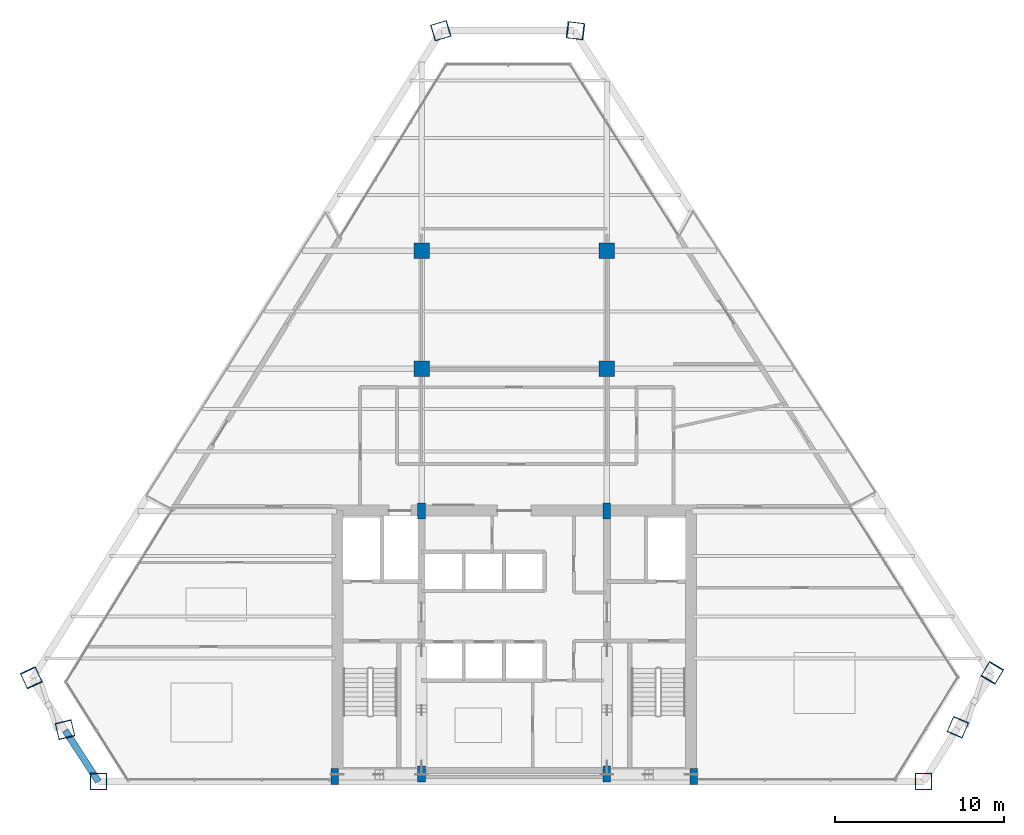
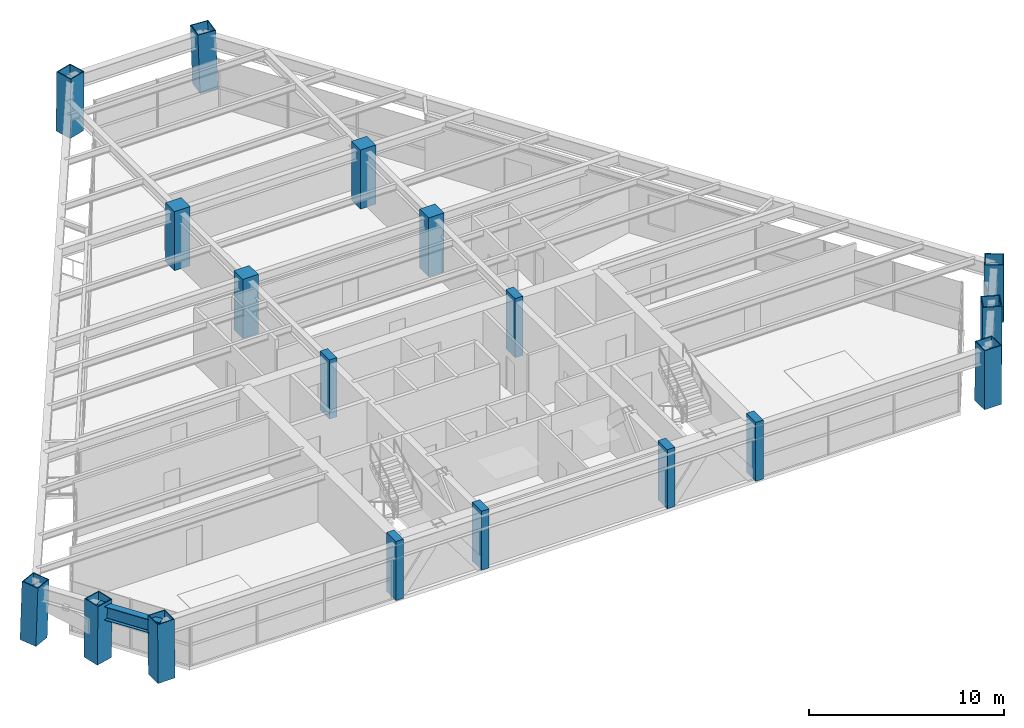
# One storey, part 1 of 15: 18 columns, 1 beam.
"""IFC4 building model written with IfcOpenShell, lengths in metres."""

from ifc_helpers import new_model, si_unit, direction, frame, origin, origin_2d, place, context, subcontext, project, spatial, rectangle, hollow_rectangle, i_section, extrude, source, transform, mapped, material, material_profile, profile_set, type_object, type_shapes, element, save


model = new_model("IFC4")

# Units and contexts
model_context = context("Model", 3, precision=1e-05, world=origin(), true_north=direction((0.0, 1.0)))
body_context = subcontext(model_context, "Body", "Model", "MODEL_VIEW")
ifc_project = project(units=[si_unit("LENGTHUNIT", "METRE"), si_unit("AREAUNIT", "SQUARE_METRE"), si_unit("VOLUMEUNIT", "CUBIC_METRE"), si_unit("PLANEANGLEUNIT", "RADIAN"), si_unit("MASSUNIT", "GRAM", prefix="KILO")], contexts=[model_context])

# Site, building, storey
site_placement = place(None, origin())
site = spatial("IfcSite", under=ifc_project, at=site_placement, CompositionType="ELEMENT")
building_placement = place(site_placement, origin())
building = spatial("IfcBuilding", under=site, at=building_placement, Name="Varnakhor Terracotta Tower", CompositionType="ELEMENT")
storey_placement = place(building_placement, frame((0.0, 0.0, 193.199951171875)))
storey = spatial("IfcBuildingStorey", under=building, at=storey_placement, Name="L49", CompositionType="ELEMENT", Elevation=193.199951171875)

# Columns
ifc_material_1 = material(Name="Concrete C50/60", Category="concrete")
ifc_material_profile_1 = material_profile(ifc_material_1, rectangle(XDim=0.449951171875, YDim=0.949951171875, at=origin_2d()), Name="RC PILASTER 950x450")
ifc_profile_set_1 = profile_set([ifc_material_profile_1], Name="Concrete C50/60")
column_type_1 = type_object("IfcColumnType", Name="COL-PIL-950x450", PredefinedType="PILASTER", material=ifc_profile_set_1)
shared_shape_1 = source(origin(), body_context, "Body", "SweptSolid", [
    extrude(rectangle(XDim=0.449951171875, YDim=0.949951171875, at=origin_2d()), origin(), (0.0, 0.0, 1.0), 3.699951171875),
])
for number, where, z_axis, x_axis, name in (
    (1, (-10.64990234375, 0.300048828125, 0.0), (0.0, 0.0, 1.0), (1.0, 0.0, 0.0), "L49 Core Pilaster CP1"),
    (2, (-5.5, 0.449951171875, 0.0), (0.0, 0.0, 1.0), (1.0, 0.0, 0.0), "L49 Core Pilaster CP2"),
    (3, (5.5, 0.449951171875, 0.0), (0.0, 0.0, 1.0), (1.0, 0.0, 0.0), "L49 Core Pilaster CP3"),
    (4, (10.64990234375, 0.300048828125, 0.0), (0.0, 0.0, 1.0), (1.0, 0.0, 0.0), "L49 Core Pilaster CP4"),
    (5, (-5.5, 16.050048828125, 0.0), (0.0, 0.0, 1.0), (1.0, 0.0, 0.0), "L49 Core Pilaster CP5"),
    (6, (5.5, 16.050048828125, 0.0), (0.0, 0.0, 1.0), (1.0, 0.0, 0.0), "L49 Core Pilaster CP6"),
):
    element("IfcColumn", number, at=place(storey_placement, frame(where, z_axis=z_axis, x_axis=x_axis)), inside=storey, type_object=column_type_1, Name=name, PredefinedType="PILASTER", context=body_context, shape_type="MappedRepresentation", body=[
        mapped(shared_shape_1, transform((0.0, 0.0, 0.0), scale=1.0)),
    ])
ifc_material_profile_2 = material_profile(ifc_material_1, rectangle(XDim=0.919921875, YDim=0.919921875, at=origin_2d()), Name="RC 920x920")
ifc_profile_set_2 = profile_set([ifc_material_profile_2], Name="Concrete C50/60")
column_type_2 = type_object("IfcColumnType", Name="COL-RC-920", PredefinedType="COLUMN", material=ifc_profile_set_2)
shared_shape_2 = source(origin(), body_context, "Body", "SweptSolid", [
    extrude(rectangle(XDim=0.919921875, YDim=0.919921875, at=origin_2d()), origin(), (0.0, 0.0, 1.0), 3.699951171875),
])
for number, where, z_axis, x_axis, name in (
    (7, (-5.5, 24.5, 0.0), (0.0, 0.0, 1.0), (1.0, 0.0, 0.0), "L49 Interior Tower Column IC1"),
    (8, (5.5, 24.5, 0.0), (0.0, 0.0, 1.0), (1.0, 0.0, 0.0), "L49 Interior Tower Column IC2"),
    (9, (-5.5, 31.5, 0.0), (0.0, 0.0, 1.0), (1.0, 0.0, 0.0), "L49 Interior Tower Column IC3"),
    (10, (5.5, 31.5, 0.0), (0.0, 0.0, 1.0), (1.0, 0.0, 0.0), "L49 Interior Tower Column IC4"),
):
    element("IfcColumn", number, at=place(storey_placement, frame(where, z_axis=z_axis, x_axis=x_axis)), inside=storey, type_object=column_type_2, Name=name, PredefinedType="COLUMN", context=body_context, shape_type="MappedRepresentation", body=[
        mapped(shared_shape_2, transform((0.0, 0.0, 0.0), scale=1.0)),
    ])
ifc_material_2 = material(Name="Steel S460", Category="steel")
ifc_material_profile_3 = material_profile(ifc_material_2, hollow_rectangle(XDim=1.0, YDim=1.0, WallThickness=0.050048828125, at=origin_2d()), Name="BOX 1000x1000x50")
ifc_profile_set_3 = profile_set([ifc_material_profile_3], Name="Steel S460")
column_type_3 = type_object("IfcColumnType", Name="COL-MEGA-1000", PredefinedType="COLUMN", material=ifc_profile_set_3)
shared_shape_3 = source(origin(), body_context, "Body", "SweptSolid", [
    extrude(hollow_rectangle(XDim=1.0, YDim=1.0, WallThickness=0.050048828125, at=origin_2d()), origin(), (0.0, 0.0, 1.0), 3.69140625),
])
type_shapes(column_type_3, [shared_shape_3])
column_placement = place(storey_placement, frame((-4.3642578125, 44.55078125, 0.00439453125), z_axis=(0.013425494565, 0.004034261914, 0.999901735585), x_axis=(-0.287780674208, 0.957696342038, 0.0)))
element("IfcColumn", 11, at=column_placement, inside=storey, type_object=column_type_3, Name="L49 Perimeter Mega-Column M6", PredefinedType="COLUMN", context=body_context, shape_type="MappedRepresentation", body=[
    mapped(shared_shape_3, transform((0.0, 0.0, 0.0), scale=1.0)),
])
shared_shape_4 = source(origin(), body_context, "Body", "SweptSolid", [
    extrude(hollow_rectangle(XDim=1.0, YDim=1.0, WallThickness=0.050048828125, at=origin_2d()), origin(), (0.0, 0.0, 1.0), 3.691162109375),
])
for number, where, z_axis, x_axis, name in (
    (12, (-24.6474609375, 0.0, 0.00439453125), (-0.006680186945, 0.0, 0.999977687302), (0.0, -1.0, 0.0), "L49 Perimeter Mega-Column M1"),
    (13, (24.276123046875, 0.0, 0.00439453125), (0.004828305383, 0.0, 0.999988343666), (0.0, 1.0, 0.0), "L49 Perimeter Mega-Column M2"),
):
    element("IfcColumn", number, at=place(storey_placement, frame(where, z_axis=z_axis, x_axis=x_axis)), inside=storey, type_object=column_type_3, Name=name, PredefinedType="COLUMN", context=body_context, shape_type="MappedRepresentation", body=[
        mapped(shared_shape_4, transform((0.0, 0.0, 0.0), scale=1.0)),
    ])
shared_shape_5 = source(origin(), body_context, "Body", "SweptSolid", [
    extrude(hollow_rectangle(XDim=1.0, YDim=1.0, WallThickness=0.050048828125, at=origin_2d()), origin(), (0.0, 0.0, 1.0), 3.691650390625),
])
for number, where, z_axis, x_axis, name in (
    (14, (26.32470703125, 3.235107421875, 0.00439453125), (-0.006282695236, -0.014549399495, 0.999874413471), (0.918062353536, -0.3964360163, 0.0), "L49 Perimeter Mega-Column M3"),
    (15, (-26.6533203125, 3.09033203125, 0.00439453125), (0.003703487274, -0.015343018706, 0.999875430221), (0.972082208573, 0.234640533104, 0.0), "L49 Perimeter Mega-Column M8"),
):
    element("IfcColumn", number, at=place(storey_placement, frame(where, z_axis=z_axis, x_axis=x_axis)), inside=storey, type_object=column_type_3, Name=name, PredefinedType="COLUMN", context=body_context, shape_type="MappedRepresentation", body=[
        mapped(shared_shape_5, transform((0.0, 0.0, 0.0), scale=1.0)),
    ])
shared_shape_6 = source(origin(), body_context, "Body", "SweptSolid", [
    extrude(hollow_rectangle(XDim=1.0, YDim=1.0, WallThickness=0.050048828125, at=origin_2d()), origin(), (0.0, 0.0, 1.0), 3.693359375),
])
for number, where, z_axis, x_axis, name in (
    (16, (28.373046875, 6.47021484375, 0.00439453125), (-0.017319289758, -0.029019725969, 0.999428785711), (0.858698699914, -0.512480773069, 0.0), "L49 Perimeter Mega-Column M4"),
    (17, (3.65576171875, 44.55078125, 0.00439453125), (-0.033778968833, 0.00403232309, 0.999421193309), (-0.118532216495, -0.992950207036, 0.0), "L49 Perimeter Mega-Column M5"),
    (18, (-28.659423828125, 6.1806640625, 0.00439453125), (0.014080236001, -0.030606334594, 0.999432338499), (0.908475552974, 0.417937997373, 0.0), "L49 Perimeter Mega-Column M7"),
):
    element("IfcColumn", number, at=place(storey_placement, frame(where, z_axis=z_axis, x_axis=x_axis)), inside=storey, type_object=column_type_3, Name=name, PredefinedType="COLUMN", context=body_context, shape_type="MappedRepresentation", body=[
        mapped(shared_shape_6, transform((0.0, 0.0, 0.0), scale=1.0)),
    ])

# Beam
ifc_material_3 = material(Name="Steel S355", Category="steel")
ifc_material_profile_4 = material_profile(ifc_material_3, i_section(OverallWidth=0.39990234375, OverallDepth=0.85498046875, WebThickness=0.01806640625, FlangeThickness=0.029052734375, FilletRadius=0.01806640625, at=origin_2d()), Name="W33X201")
ifc_profile_set_4 = profile_set([ifc_material_profile_4], Name="Steel S355")
beam_type = type_object("IfcBeamType", Name="BM-W33X201", PredefinedType="BEAM", material=ifc_profile_set_4)
shared_shape_7 = source(origin(), body_context, "Body", "SweptSolid", [
    extrude(i_section(OverallWidth=0.39990234375, OverallDepth=0.85498046875, WebThickness=0.01806640625, FlangeThickness=0.029052734375, FilletRadius=0.01806640625, at=origin_2d()), origin(), (0.0, 0.0, 1.0), 3.615966796875),
])
beam_placement = place(storey_placement, frame((-26.6396484375, 3.03369140625, 3.04248046875), z_axis=(0.544138442405, -0.838995444265, 0.0), x_axis=(0.838995444265, 0.544138442405, 0.0)))
element("IfcBeam", 19, at=beam_placement, inside=storey, type_object=beam_type, Name="L49 Perimeter Spandrel 8", PredefinedType="BEAM", context=body_context, shape_type="MappedRepresentation", body=[
    mapped(shared_shape_7, transform((0.0, 0.0, 0.0), scale=1.0)),
])

save(model, "model.ifc")
